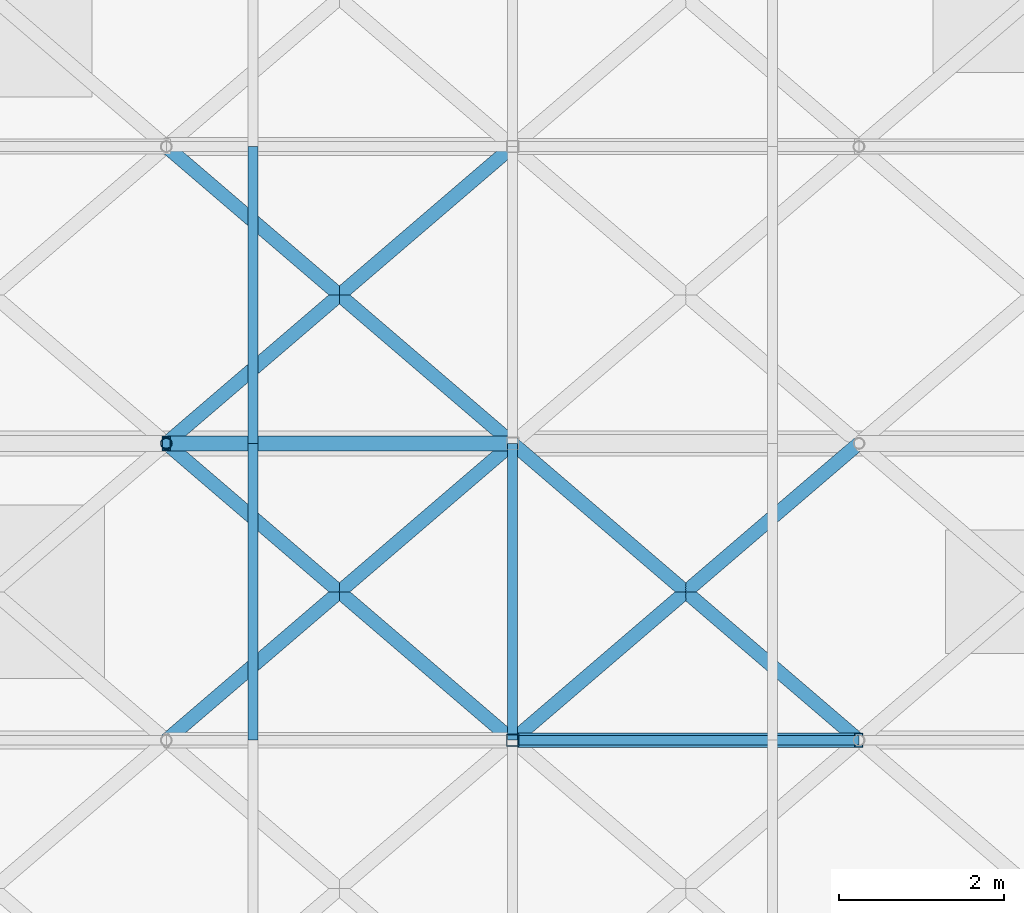
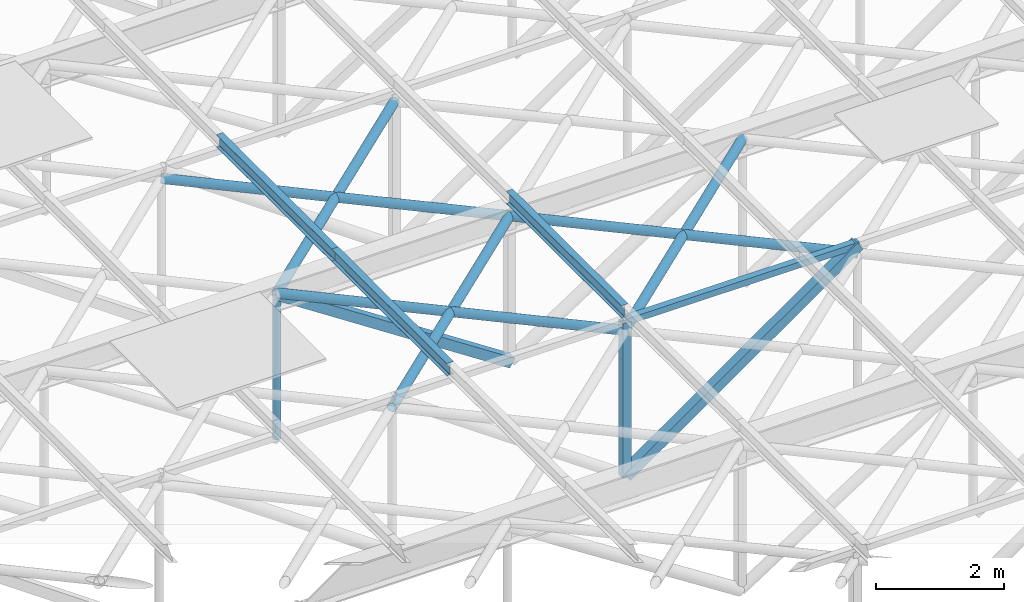
# One storey, part 13 of 45: 14 members.
"""IFC4 building model written with IfcOpenShell, lengths in metres."""

from ifc_helpers import new_model, si_unit, derived_unit, direction, frame, origin, origin_2d, place, context, subcontext, project, spatial, hollow_rectangle, hollow_circle, i_section, extrude, material, material_profile, profile_set, type_object, element, save


model = new_model("IFC4")

# Units and contexts
model_context = context("Model", 3, precision=1e-05, world=origin(), true_north=direction((0.0, 1.0)))
body_context = subcontext(model_context, "Body", "Model", "MODEL_VIEW")
ifc_project = project(units=[si_unit("LENGTHUNIT", "METRE"), si_unit("AREAUNIT", "SQUARE_METRE"), si_unit("VOLUMEUNIT", "CUBIC_METRE"), si_unit("PLANEANGLEUNIT", "RADIAN"), si_unit("MASSUNIT", "GRAM", prefix="KILO"), derived_unit("THERMALTRANSMITTANCEUNIT", [(si_unit("MASSUNIT", "GRAM", prefix="KILO"), 1), (si_unit("TIMEUNIT", "SECOND"), -3), (si_unit("THERMODYNAMICTEMPERATUREUNIT", "KELVIN"), -1)])], contexts=[model_context])

# Site, building, storey
site_placement = place(None, origin())
site = spatial("IfcSite", under=ifc_project, at=site_placement, CompositionType="ELEMENT")
building_placement = place(site_placement, origin())
building = spatial("IfcBuilding", under=site, at=building_placement, Name="Veldstrom Oceanarium and Marine Research Institute", CompositionType="ELEMENT")
storey_placement = place(building_placement, frame((0.0, 0.0, 22.199951171875)))
storey = spatial("IfcBuildingStorey", under=building, at=storey_placement, Name="L04", CompositionType="ELEMENT", Elevation=22.199951171875)

# Members
ifc_material_1 = material(Name="Steel S355JR", Category="steel")
ifc_material_profile_1 = material_profile(ifc_material_1, hollow_circle(Radius=0.084228515625, WallThickness=0.008056640625, at=origin_2d()), Name="CHS 168.3x8")
ifc_profile_set_1 = profile_set([ifc_material_profile_1], Name="Steel S355JR")
member_type_1 = type_object("IfcMemberType", Name="STR-MEM-BR3", PredefinedType="BRACE", material=ifc_profile_set_1)
for number, where, z_axis, x_axis, name in (
    (1, (25.199951171875, 32.39990234375, 0.860107421875), (0.759244140748, 0.650805911728, 0.0), (-0.650805911728, 0.759244140748, 0.0), "Roof Plan Wind Brace WB-06-3"),
    (2, (29.39990234375, 32.39990234375, 0.860107421875), (-0.759244140748, 0.650805911728, 0.0), (-0.650805911728, -0.759244140748, 0.0), "Roof Plan Counter Wind Brace WB-06-3B"),
):
    element("IfcMember", number, at=place(storey_placement, frame(where, z_axis=z_axis, x_axis=x_axis)), inside=storey, type_object=member_type_1, Name=name, PredefinedType="BRACE", context=body_context, shape_type="SweptSolid", body=[
        extrude(hollow_circle(Radius=0.084228515625, WallThickness=0.008056640625, at=origin_2d()), origin(), (0.0, 0.0, 1.0), 5.53173828125),
    ])
for number, where, z_axis, x_axis, name in (
    (3, (29.39990234375, 32.39990234375, 0.860107421875), (0.759262832861, 0.650784104474, 0.0), (-0.650784104474, 0.759262832861, 0.0), "Roof Plan Wind Brace WB-06-4"),
    (4, (33.60009765625, 32.39990234375, 0.860107421875), (-0.759262832861, 0.650784104474, 0.0), (-0.650784104474, -0.759262832861, 0.0), "Roof Plan Counter Wind Brace WB-06-4B"),
):
    element("IfcMember", number, at=place(storey_placement, frame(where, z_axis=z_axis, x_axis=x_axis)), inside=storey, type_object=member_type_1, Name=name, PredefinedType="BRACE", context=body_context, shape_type="SweptSolid", body=[
        extrude(hollow_circle(Radius=0.084228515625, WallThickness=0.008056640625, at=origin_2d()), origin(), (0.0, 0.0, 1.0), 5.531982421875),
    ])
for number, where, z_axis, x_axis, name in (
    (5, (25.199951171875, 36.0, 0.860107421875), (0.759244140748, 0.650805911728, 0.0), (-0.650805911728, 0.759244140748, 0.0), "Roof Plan Wind Brace WB-07-3"),
    (6, (29.39990234375, 36.0, 0.860107421875), (-0.759244140748, 0.650805911728, 0.0), (-0.650805911728, -0.759244140748, 0.0), "Roof Plan Counter Wind Brace WB-07-3B"),
):
    element("IfcMember", number, at=place(storey_placement, frame(where, z_axis=z_axis, x_axis=x_axis)), inside=storey, type_object=member_type_1, Name=name, PredefinedType="BRACE", context=body_context, shape_type="SweptSolid", body=[
        extrude(hollow_circle(Radius=0.084228515625, WallThickness=0.008056640625, at=origin_2d()), origin(), (0.0, 0.0, 1.0), 5.53173828125),
    ])
ifc_material_2 = material(Name="Steel S355JR", Category="steel")
ifc_material_profile_2 = material_profile(ifc_material_2, hollow_rectangle(XDim=0.179931640625, YDim=0.179931640625, WallThickness=0.010009765625, at=origin_2d()), Name="SHS 180x180x10")
ifc_profile_set_2 = profile_set([ifc_material_profile_2], Name="Steel S355JR")
member_type_2 = type_object("IfcMemberType", Name="STR-MEM-BR4", PredefinedType="BRACE", material=ifc_profile_set_2)
member_1_placement = place(storey_placement, frame((29.39990234375, 32.39990234375, -1.89990234375), z_axis=(0.81833258052, 0.0, 0.574744976193), x_axis=(0.0, 1.0, 0.0)))
element("IfcMember", 7, at=member_1_placement, inside=storey, type_object=member_type_2, Name="Truss Web Diagonal RT06-4", PredefinedType="BRACE", context=body_context, shape_type="SweptSolid", body=[
    extrude(hollow_rectangle(XDim=0.179931640625, YDim=0.179931640625, WallThickness=0.010009765625, at=origin_2d()), origin(), (0.0, 0.0, 1.0), 5.132568359375),
])
member_2_placement = place(storey_placement, frame((25.199951171875, 36.0, 0.860107421875), z_axis=(0.835701657629, 0.0, -0.549183702813), x_axis=(0.0, 1.0, 0.0)))
element("IfcMember", 8, at=member_2_placement, inside=storey, type_object=member_type_2, Name="Truss Web Diagonal RT07-3", PredefinedType="BRACE", context=body_context, shape_type="SweptSolid", body=[
    extrude(hollow_rectangle(XDim=0.179931640625, YDim=0.179931640625, WallThickness=0.010009765625, at=origin_2d()), origin(), (0.0, 0.0, 1.0), 5.025634765625),
])
ifc_material_3 = material(Name="Steel S355JR", Category="steel")
ifc_material_profile_3 = material_profile(ifc_material_3, i_section(OverallWidth=0.1201171875, OverallDepth=0.239990234375, WebThickness=0.006103515625, FlangeThickness=0.009765625, FilletRadius=0.014892578125, at=origin_2d()), Name="IPE 240")
ifc_profile_set_3 = profile_set([ifc_material_profile_3], Name="Steel S355JR")
member_type_3 = type_object("IfcMemberType", Name="STR-MEM-PR1", PredefinedType="PURLIN", material=ifc_profile_set_3)
for number, where, z_axis, x_axis, name in (
    (9, (26.25, 32.39990234375, 1.22998046875), (0.0, 1.0, 0.0), (-1.0, 0.0, 0.0), "Hall Roof Purlin PR-07-4"),
    (10, (29.39990234375, 32.39990234375, 1.22998046875), (0.0, 1.0, 0.0), (-1.0, 0.0, 0.0), "Hall Roof Purlin PR-07-5"),
    (11, (26.25, 36.0, 1.22998046875), (0.0, 1.0, 0.0), (-1.0, 0.0, 0.0), "Hall Roof Purlin PR-08-4"),
):
    element("IfcMember", number, at=place(storey_placement, frame(where, z_axis=z_axis, x_axis=x_axis)), inside=storey, type_object=member_type_3, Name=name, PredefinedType="PURLIN", context=body_context, shape_type="SweptSolid", body=[
        extrude(i_section(OverallWidth=0.1201171875, OverallDepth=0.239990234375, WebThickness=0.006103515625, FlangeThickness=0.009765625, FilletRadius=0.014892578125, at=origin_2d()), origin(), (0.0, 0.0, 1.0), 3.60009765625),
    ])
ifc_material_4 = material(Name="Steel S355JR", Category="steel")
ifc_material_profile_4 = material_profile(ifc_material_4, hollow_rectangle(XDim=0.14990234375, YDim=0.14990234375, WallThickness=0.010009765625, at=origin_2d()), Name="SHS 150x150x10")
ifc_profile_set_4 = profile_set([ifc_material_profile_4], Name="Steel S355JR")
member_type_4 = type_object("IfcMemberType", Name="STR-MEM-PS1", PredefinedType="POST", material=ifc_profile_set_4)
member_3_placement = place(storey_placement, frame((29.39990234375, 32.39990234375, -1.89990234375), z_axis=(0.0, 0.0, 1.0), x_axis=(1.0, 0.0, 0.0)))
element("IfcMember", 12, at=member_3_placement, inside=storey, type_object=member_type_4, Name="Truss Vertical Post RT06-4", PredefinedType="POST", context=body_context, shape_type="SweptSolid", body=[
    extrude(hollow_rectangle(XDim=0.14990234375, YDim=0.14990234375, WallThickness=0.010009765625, at=origin_2d()), origin(), (0.0, 0.0, 1.0), 2.949951171875),
])
ifc_material_5 = material(Name="Steel S355JR", Category="steel")
ifc_material_profile_5 = material_profile(ifc_material_5, hollow_circle(Radius=0.06982421875, WallThickness=0.008056640625, at=origin_2d()), Name="CHS 139.7x8")
ifc_profile_set_5 = profile_set([ifc_material_profile_5], Name="Steel S355JR")
member_type_5 = type_object("IfcMemberType", Name="STR-MEM-PS2", PredefinedType="POST", material=ifc_profile_set_5)
member_4_placement = place(storey_placement, frame((25.199951171875, 36.0, -1.89990234375), z_axis=(0.0, 0.0, 1.0), x_axis=(1.0, 0.0, 0.0)))
element("IfcMember", 13, at=member_4_placement, inside=storey, type_object=member_type_5, Name="Truss Vertical Post RT07-3", PredefinedType="POST", context=body_context, shape_type="SweptSolid", body=[
    extrude(hollow_circle(Radius=0.06982421875, WallThickness=0.008056640625, at=origin_2d()), origin(), (0.0, 0.0, 1.0), 2.760009765625),
])
ifc_material_6 = material(Name="Steel S355JR", Category="steel")
ifc_material_profile_6 = material_profile(ifc_material_6, hollow_rectangle(XDim=0.1201171875, YDim=0.1201171875, WallThickness=0.008056640625, at=origin_2d()), Name="SHS 120x120x8")
ifc_profile_set_6 = profile_set([ifc_material_profile_6], Name="Steel S355JR")
member_type_6 = type_object("IfcMemberType", Name="STR-MEM-RF1", PredefinedType="RAFTER", material=ifc_profile_set_6)
member_5_placement = place(storey_placement, frame((29.39990234375, 32.39990234375, 1.050048828125), z_axis=(1.0, 0.0, 0.0), x_axis=(0.0, 1.0, 0.0)))
element("IfcMember", 14, at=member_5_placement, inside=storey, type_object=member_type_6, Name="Truss Top Rafter RT06-4", PredefinedType="RAFTER", context=body_context, shape_type="SweptSolid", body=[
    extrude(hollow_rectangle(XDim=0.1201171875, YDim=0.1201171875, WallThickness=0.008056640625, at=origin_2d()), origin(), (0.0, 0.0, 1.0), 4.2001953125),
])

save(model, "model.ifc")
